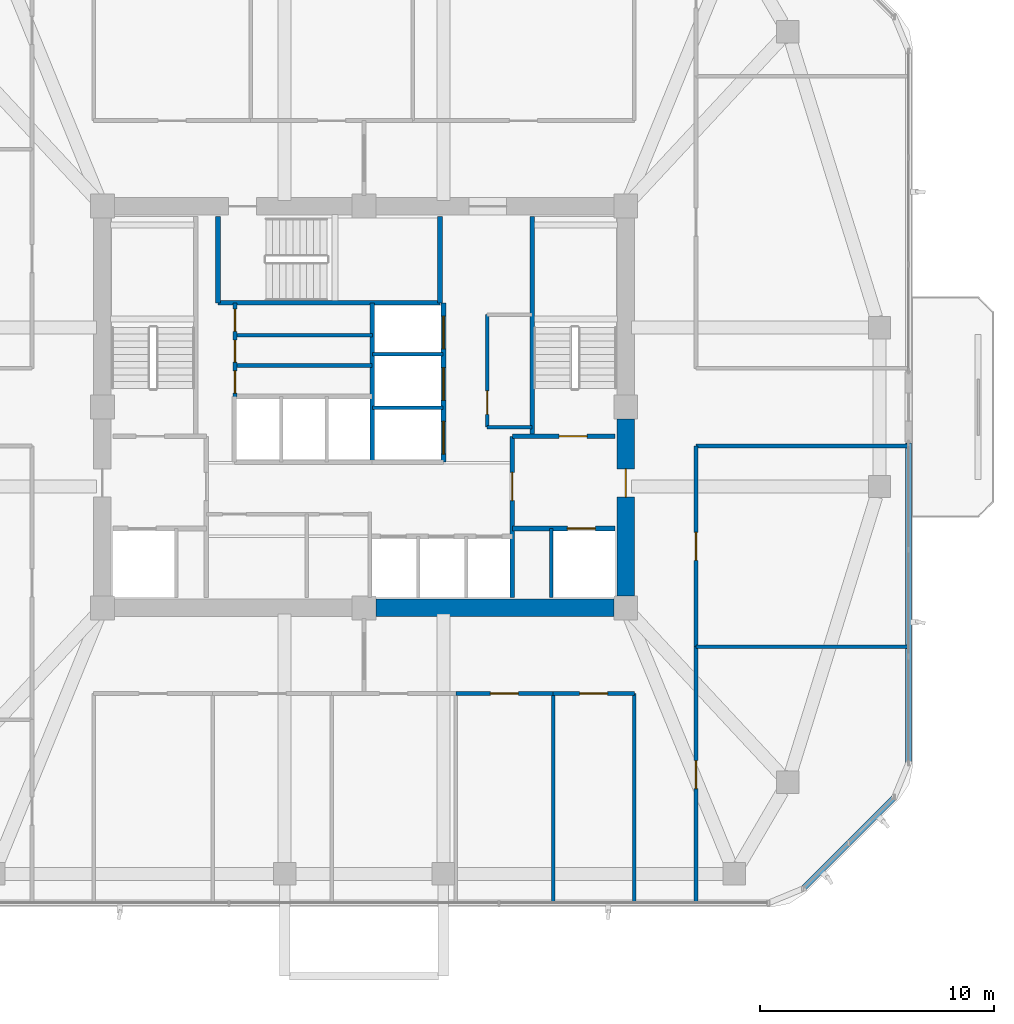
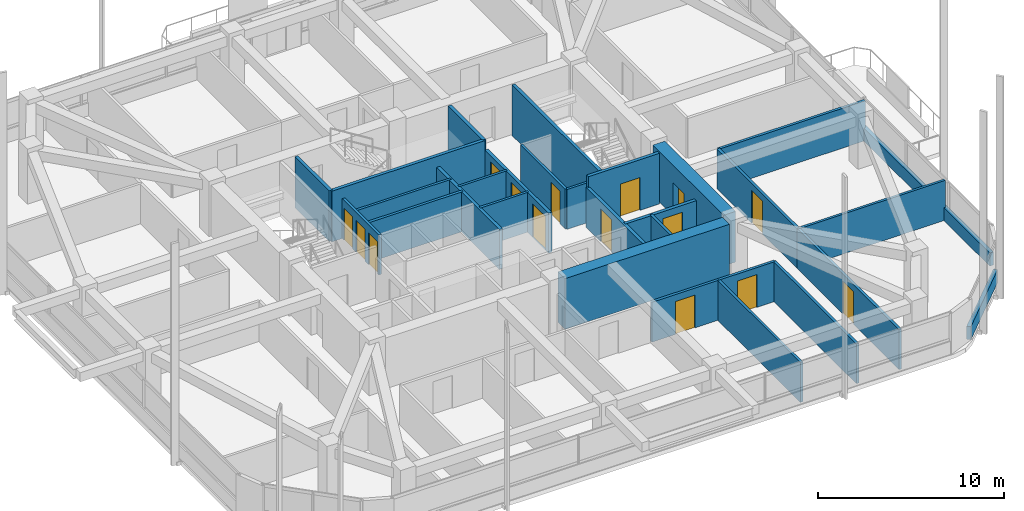
# One storey, part 9 of 14: 29 walls, 15 doors, 15 openings.
"""IFC4 building model written with IfcOpenShell, lengths in metres."""

from ifc_helpers import new_model, si_unit, derived_unit, direction, frame, frame_2d, origin, place, context, subcontext, project, spatial, rectangle, extrude, material, layer, layer_set, type_object, element, fill, save


model = new_model("IFC4")

# Units and contexts
model_context = context("Model", 3, precision=1e-05, world=origin(), true_north=direction((0.0, 1.0)))
body_context = subcontext(model_context, "Body", "Model", "MODEL_VIEW")
ifc_project = project(units=[si_unit("LENGTHUNIT", "METRE"), si_unit("AREAUNIT", "SQUARE_METRE"), si_unit("VOLUMEUNIT", "CUBIC_METRE"), si_unit("PLANEANGLEUNIT", "RADIAN"), si_unit("MASSUNIT", "GRAM", prefix="KILO"), derived_unit("THERMALTRANSMITTANCEUNIT", [(si_unit("POWERUNIT", "WATT"), 1), (si_unit("LENGTHUNIT", "METRE"), -2), (si_unit("THERMODYNAMICTEMPERATUREUNIT", "KELVIN"), -1)])], contexts=[model_context])

# Site, building, storey
site_placement = place(None, origin())
site = spatial("IfcSite", under=ifc_project, at=site_placement, CompositionType="ELEMENT")
building_placement = place(site_placement, origin())
building = spatial("IfcBuilding", under=site, at=building_placement, Name="Koralith Skygarden Medical Center", CompositionType="ELEMENT")
storey_placement = place(building_placement, frame((0.0, 0.0, 145.6201171875)))
storey = spatial("IfcBuildingStorey", under=building, at=storey_placement, Name="L37", CompositionType="ELEMENT", Elevation=145.6201171875)

# Wall, opening, door
ifc_material_1 = material(Name="Gypsum Board Partition")
ifc_layer_1 = layer(ifc_material_1, 0.14990234375)
ifc_layer_set_1 = layer_set([ifc_layer_1], Name="Gypsum Board Partition")
wall_type_1 = type_object("IfcWallType", Name="Clinical Acoustic Partition 150", PredefinedType="PARTITIONING", material=ifc_layer_set_1)
wall_1_placement = place(storey_placement, frame((42.27001953125, 25.0400390625, 0.0), z_axis=(0.0, 0.0, 1.0), x_axis=(0.0, 1.0, 0.0)))
wall_1 = element("IfcWall", 1, at=wall_1_placement, inside=storey, type_object=wall_type_1, Name="L37 Clinical Acoustic Partition 150 W-CORE-L37-ESUB-W", PredefinedType="PARTITIONING", context=body_context, shape_type="SweptSolid", body=[
    extrude(rectangle(XDim=4.820068359375, YDim=0.14990234375, at=frame_2d((2.41015625, 0.0))), origin(), (0.0, 0.0, 1.0), 2.60986328125),
])
opening_1_placement = place(wall_1_placement, frame((0.550048828125, 0.0, 0.0)))
opening_1 = element("IfcOpeningElement", 2, at=opening_1_placement, cuts=wall_1, Name="Opening D-SUP", PredefinedType="OPENING", context=body_context, shape_type="SweptSolid", body=[
    extrude(rectangle(XDim=1.0, YDim=2.14990234375, at=frame_2d((0.5, 1.074951171875))), frame((0.0, 0.0849609375, 0.0), z_axis=(0.0, -1.0, 0.0), x_axis=(1.0, 0.0, 0.0)), (0.0, 0.0, 1.0), 0.169921875),
])
ifc_material_2 = material(Name="Aluminium 6063-T6", Category="aluminium")
door_type_1 = type_object("IfcDoorType", Name="Clinical Support Door D-SUP 1000", OperationType="NOTDEFINED", PredefinedType="DOOR", material=ifc_material_2)
door_1_placement = place(opening_1_placement, origin())
door_1 = element("IfcDoor", 3, at=door_1_placement, inside=storey, type_object=door_type_1, Name="L37 Core Equipment Store Door", OperationType="SINGLE_SWING_LEFT", OverallHeight=2.14990234375, OverallWidth=1.0, PredefinedType="DOOR", context=body_context, shape_type="SweptSolid", body=[
    extrude(rectangle(XDim=1.0, YDim=2.14990234375, at=frame_2d((0.5, 1.074951171875))), frame((0.0, 0.02490234375, 0.0), z_axis=(0.0, -1.0, 0.0), x_axis=(1.0, 0.0, 0.0)), (0.0, 0.0, 1.0), 0.050048828125),
])
fill(opening_1, door_1)

# Walls
wall_2_placement = place(storey_placement, frame((42.27001953125, 25.0400390625, 0.0), z_axis=(0.0, 0.0, 1.0), x_axis=(1.0, 0.0, 0.0)))
element("IfcWall", 4, at=wall_2_placement, inside=storey, type_object=wall_type_1, Name="L37 Clinical Acoustic Partition 150 W-CORE-L37-ESUB-S", PredefinedType="PARTITIONING", context=body_context, shape_type="SweptSolid", body=[
    extrude(rectangle(XDim=1.929931640625, YDim=0.14990234375, at=frame_2d((0.96484375, 0.0))), origin(), (0.0, 0.0, 1.0), 2.60986328125),
])
wall_3_placement = place(storey_placement, frame((31.47998046875, 28.97998046875, 0.0), z_axis=(0.0, 0.0, 1.0), x_axis=(1.0, 0.0, 0.0)))
element("IfcWall", 5, at=wall_3_placement, inside=storey, type_object=wall_type_1, Name="L37 Clinical Acoustic Partition 150 W-CORE-L37-FLEX-H1B", PredefinedType="PARTITIONING", context=body_context, shape_type="SweptSolid", body=[
    extrude(rectangle(XDim=5.89013671875, YDim=0.14990234375, at=frame_2d((2.945068359375, 0.0))), origin(), (0.0, 0.0, 1.0), 2.60986328125),
])
wall_4_placement = place(storey_placement, frame((45.092041015625, 13.639892578125, 0.0), z_axis=(0.0, 0.0, 1.0), x_axis=(0.0, -1.0, 0.0)))
element("IfcWall", 6, at=wall_4_placement, inside=storey, type_object=wall_type_1, Name="L37 Clinical Acoustic Partition 150 W-PART-L37-S-04", PredefinedType="PARTITIONING", context=body_context, shape_type="SweptSolid", body=[
    extrude(rectangle(XDim=8.93994140625, YDim=0.14990234375, at=frame_2d((4.469970703125, 0.0))), origin(), (0.0, 0.0, 1.0), 2.60986328125),
])
wall_5_placement = place(storey_placement, frame((51.2099609375, 15.64208984375, 0.0), z_axis=(0.0, 0.0, 1.0), x_axis=(1.0, 0.0, 0.0)))
element("IfcWall", 7, at=wall_5_placement, inside=storey, type_object=wall_type_1, Name="L37 Clinical Acoustic Partition 150 W-PART-L37-ES-01", PredefinedType="PARTITIONING", context=body_context, shape_type="SweptSolid", body=[
    extrude(rectangle(XDim=9.073974609375, YDim=0.14990234375, at=frame_2d((4.537109375, 0.0))), origin(), (0.0, 0.0, 1.0), 2.60986328125),
])
ifc_layer_2 = layer(ifc_material_1, 0.1650390625)
ifc_layer_set_2 = layer_set([ifc_layer_2], Name="Gypsum Board Partition")
wall_type_2 = type_object("IfcWallType", Name="Clinical Corridor Partition 165", PredefinedType="PARTITIONING", material=ifc_layer_set_2)
wall_6_placement = place(storey_placement, frame((48.570068359375, 4.699951171875, 0.0), z_axis=(0.0, 0.0, 1.0), x_axis=(0.0, 1.0, 0.0)))
element("IfcWall", 8, at=wall_6_placement, inside=storey, type_object=wall_type_2, Name="L37 Clinical Corridor Partition 165 W-HCOR-L37-SE", PredefinedType="PARTITIONING", context=body_context, shape_type="SweptSolid", body=[
    extrude(rectangle(XDim=8.93994140625, YDim=0.1650390625, at=frame_2d((4.469970703125, 0.0))), origin(), (0.0, 0.0, 1.0), 2.60986328125),
])
wall_7_placement = place(storey_placement, frame((51.2099609375, 24.239990234375, 0.0), z_axis=(0.0, 0.0, 1.0), x_axis=(1.0, 0.0, 0.0)))
element("IfcWall", 9, at=wall_7_placement, inside=storey, type_object=wall_type_2, Name="L37 Clinical Corridor Partition 165 W-HCOR-L37-EWS-E", PredefinedType="PARTITIONING", context=body_context, shape_type="SweptSolid", body=[
    extrude(rectangle(XDim=9.073974609375, YDim=0.1650390625, at=frame_2d((4.537109375, 0.0))), origin(), (0.0, 0.0, 1.0), 2.60986328125),
])

# Wall, opening, door
wall_8_placement = place(storey_placement, frame((40.929931640625, 13.639892578125, 0.0), z_axis=(0.0, 0.0, 1.0), x_axis=(1.0, 0.0, 0.0)))
wall_8 = element("IfcWall", 10, at=wall_8_placement, inside=storey, type_object=wall_type_2, Name="L37 Clinical Corridor Partition 165 W-CORR-L37-S-04", PredefinedType="PARTITIONING", context=body_context, shape_type="SweptSolid", body=[
    extrude(rectangle(XDim=4.162109375, YDim=0.1650390625, at=frame_2d((2.0810546875, 0.0))), origin(), (0.0, 0.0, 1.0), 2.60986328125),
])
opening_2_placement = place(wall_8_placement, frame((1.48095703125, 0.0, 0.0)))
opening_2 = element("IfcOpeningElement", 11, at=opening_2_placement, cuts=wall_8, Name="Opening D-CLN", PredefinedType="OPENING", context=body_context, shape_type="SweptSolid", body=[
    extrude(rectangle(XDim=1.199951171875, YDim=2.14990234375, at=frame_2d((0.60009765625, 1.074951171875))), frame((0.0, 0.092529296875, 0.0), z_axis=(0.0, -1.0, 0.0), x_axis=(1.0, 0.0, 0.0)), (0.0, 0.0, 1.0), 0.18505859375),
])
door_type_2 = type_object("IfcDoorType", Name="Clinical Corridor Door D-CLN 1200", OperationType="NOTDEFINED", PredefinedType="DOOR", material=ifc_material_2)
door_2_placement = place(opening_2_placement, frame((1.199951171875, 0.0, 0.0), z_axis=(0.0, 0.0, 1.0), x_axis=(-1.0, 0.0, 0.0)))
door_2 = element("IfcDoor", 12, at=door_2_placement, inside=storey, type_object=door_type_2, Name="L37 Allergy Immunology Office 07 Door", OperationType="SINGLE_SWING_RIGHT", OverallHeight=2.14990234375, OverallWidth=1.199951171875, PredefinedType="DOOR", context=body_context, shape_type="SweptSolid", body=[
    extrude(rectangle(XDim=1.199951171875, YDim=2.14990234375, at=frame_2d((0.60009765625, 1.074951171875))), frame((0.0, 0.02490234375, 0.0), z_axis=(0.0, -1.0, 0.0), x_axis=(1.0, 0.0, 0.0)), (0.0, 0.0, 1.0), 0.050048828125),
])
fill(opening_2, door_2)

wall_9_placement = place(storey_placement, frame((45.092041015625, 13.639892578125, 0.0), z_axis=(0.0, 0.0, 1.0), x_axis=(1.0, 0.0, 0.0)))
wall_9 = element("IfcWall", 13, at=wall_9_placement, inside=storey, type_object=wall_type_2, Name="L37 Clinical Corridor Partition 165 W-CORR-L37-S-05", PredefinedType="PARTITIONING", context=body_context, shape_type="SweptSolid", body=[
    extrude(rectangle(XDim=3.47802734375, YDim=0.1650390625, at=frame_2d((1.739013671875, 0.0))), origin(), (0.0, 0.0, 1.0), 2.60986328125),
])
opening_3_placement = place(wall_9_placement, frame((1.138916015625, 0.0, 0.0)))
opening_3 = element("IfcOpeningElement", 14, at=opening_3_placement, cuts=wall_9, Name="Opening D-CLN", PredefinedType="OPENING", context=body_context, shape_type="SweptSolid", body=[
    extrude(rectangle(XDim=1.199951171875, YDim=2.14990234375, at=frame_2d((0.60009765625, 1.074951171875))), frame((0.0, 0.092529296875, 0.0), z_axis=(0.0, -1.0, 0.0), x_axis=(1.0, 0.0, 0.0)), (0.0, 0.0, 1.0), 0.18505859375),
])
door_3_placement = place(opening_3_placement, frame((1.199951171875, 0.0, 0.0), z_axis=(0.0, 0.0, 1.0), x_axis=(-1.0, 0.0, 0.0)))
door_3 = element("IfcDoor", 15, at=door_3_placement, inside=storey, type_object=door_type_2, Name="L37 Clinical Tea Pantry 08 Door", OperationType="SINGLE_SWING_LEFT", OverallHeight=2.14990234375, OverallWidth=1.199951171875, PredefinedType="DOOR", context=body_context, shape_type="SweptSolid", body=[
    extrude(rectangle(XDim=1.199951171875, YDim=2.14990234375, at=frame_2d((0.60009765625, 1.074951171875))), frame((0.0, 0.02490234375, 0.0), z_axis=(0.0, -1.0, 0.0), x_axis=(1.0, 0.0, 0.0)), (0.0, 0.0, 1.0), 0.050048828125),
])
fill(opening_3, door_3)

wall_10_placement = place(storey_placement, frame((51.2099609375, 4.699951171875, 0.0), z_axis=(0.0, 0.0, 1.0), x_axis=(0.0, 1.0, 0.0)))
wall_10 = element("IfcWall", 16, at=wall_10_placement, inside=storey, type_object=wall_type_2, Name="L37 Clinical Corridor Partition 165 W-CORR-L37-ES-01", PredefinedType="PARTITIONING", context=body_context, shape_type="SweptSolid", body=[
    extrude(rectangle(XDim=10.942138671875, YDim=0.1650390625, at=frame_2d((5.47119140625, 0.0))), origin(), (0.0, 0.0, 1.0), 2.60986328125),
])
opening_4_placement = place(wall_10_placement, frame((4.87109375, 0.0, 0.0)))
opening_4 = element("IfcOpeningElement", 17, at=opening_4_placement, cuts=wall_10, Name="Opening D-CLN", PredefinedType="OPENING", context=body_context, shape_type="SweptSolid", body=[
    extrude(rectangle(XDim=1.199951171875, YDim=2.14990234375, at=frame_2d((0.60009765625, 1.074951171875))), frame((0.0, 0.092529296875, 0.0), z_axis=(0.0, -1.0, 0.0), x_axis=(1.0, 0.0, 0.0)), (0.0, 0.0, 1.0), 0.18505859375),
])
door_4_placement = place(opening_4_placement, origin())
door_4 = element("IfcDoor", 18, at=door_4_placement, inside=storey, type_object=door_type_2, Name="L37 Clinical Consultation Office 13 Door", OperationType="SINGLE_SWING_RIGHT", OverallHeight=2.14990234375, OverallWidth=1.199951171875, PredefinedType="DOOR", context=body_context, shape_type="SweptSolid", body=[
    extrude(rectangle(XDim=1.199951171875, YDim=2.14990234375, at=frame_2d((0.60009765625, 1.074951171875))), frame((0.0, 0.02490234375, 0.0), z_axis=(0.0, -1.0, 0.0), x_axis=(1.0, 0.0, 0.0)), (0.0, 0.0, 1.0), 0.050048828125),
])
fill(opening_4, door_4)

wall_11_placement = place(storey_placement, frame((51.2099609375, 15.64208984375, 0.0), z_axis=(0.0, 0.0, 1.0), x_axis=(0.0, 1.0, 0.0)))
wall_11 = element("IfcWall", 19, at=wall_11_placement, inside=storey, type_object=wall_type_2, Name="L37 Clinical Corridor Partition 165 W-CORR-L37-ES-02", PredefinedType="PARTITIONING", context=body_context, shape_type="SweptSolid", body=[
    extrude(rectangle(XDim=8.597900390625, YDim=0.1650390625, at=frame_2d((4.298828125, 0.0))), origin(), (0.0, 0.0, 1.0), 2.60986328125),
])
opening_5_placement = place(wall_11_placement, frame((3.698974609375, 0.0, 0.0)))
opening_5 = element("IfcOpeningElement", 20, at=opening_5_placement, cuts=wall_11, Name="Opening D-CLN", PredefinedType="OPENING", context=body_context, shape_type="SweptSolid", body=[
    extrude(rectangle(XDim=1.199951171875, YDim=2.14990234375, at=frame_2d((0.60009765625, 1.074951171875))), frame((0.0, 0.092529296875, 0.0), z_axis=(0.0, -1.0, 0.0), x_axis=(1.0, 0.0, 0.0)), (0.0, 0.0, 1.0), 0.18505859375),
])
door_5_placement = place(opening_5_placement, origin())
door_5 = element("IfcDoor", 21, at=door_5_placement, inside=storey, type_object=door_type_2, Name="L37 Dermatology Procedure Room 14 Door", OperationType="SINGLE_SWING_LEFT", OverallHeight=2.14990234375, OverallWidth=1.199951171875, PredefinedType="DOOR", context=body_context, shape_type="SweptSolid", body=[
    extrude(rectangle(XDim=1.199951171875, YDim=2.14990234375, at=frame_2d((0.60009765625, 1.074951171875))), frame((0.0, 0.02490234375, 0.0), z_axis=(0.0, -1.0, 0.0), x_axis=(1.0, 0.0, 0.0)), (0.0, 0.0, 1.0), 0.050048828125),
])
fill(opening_5, door_5)

ifc_layer_3 = layer(ifc_material_1, 0.199951171875)
ifc_layer_set_3 = layer_set([ifc_layer_3], Name="Gypsum Board Partition")
wall_type_3 = type_object("IfcWallType", Name="Fire Shaft Wall 200", PredefinedType="SOLIDWALL", material=ifc_layer_set_3)
wall_12_placement = place(storey_placement, frame((43.35009765625, 20.699951171875, 0.0), z_axis=(0.0, 0.0, 1.0), x_axis=(1.0, 0.0, 0.0)))
wall_12 = element("IfcWall", 22, at=wall_12_placement, inside=storey, type_object=wall_type_3, Name="L37 Fire Shaft Wall 200 W-CORE-L37-FF2-N", PredefinedType="SOLIDWALL", context=body_context, shape_type="SweptSolid", body=[
    extrude(rectangle(XDim=4.39990234375, YDim=0.199951171875, at=frame_2d((2.199951171875, 0.0))), origin(), (0.0, 0.0, 1.0), 2.60986328125),
])
opening_6_placement = place(wall_12_placement, frame((2.35009765625, 0.0, 0.0)))
opening_6 = element("IfcOpeningElement", 23, at=opening_6_placement, cuts=wall_12, Name="Opening LD-FF", PredefinedType="OPENING", context=body_context, shape_type="SweptSolid", body=[
    extrude(rectangle(XDim=1.199951171875, YDim=2.14990234375, at=frame_2d((0.60009765625, 1.074951171875))), frame((0.0, 0.10986328125, 0.0), z_axis=(0.0, -1.0, 0.0), x_axis=(1.0, 0.0, 0.0)), (0.0, 0.0, 1.0), 0.219970703125),
])
ifc_material_3 = material(Name="Steel ASTM A500 Grade C", Category="steel")
door_type_3 = type_object("IfcDoorType", Name="Fire Lift Sliding Landing Door LD-FF 1200", OperationType="NOTDEFINED", PredefinedType="DOOR", material=ifc_material_3)
door_6_placement = place(opening_6_placement, origin())
door_6 = element("IfcDoor", 24, at=door_6_placement, inside=storey, type_object=door_type_3, Name="L37 Fire Service Elevator FF2 Landing Door", OperationType="SLIDING_TO_RIGHT", OverallHeight=2.14990234375, OverallWidth=1.199951171875, PredefinedType="DOOR", context=body_context, shape_type="SweptSolid", body=[
    extrude(rectangle(XDim=1.199951171875, YDim=2.14990234375, at=frame_2d((0.60009765625, 1.074951171875))), frame((0.0, 0.02490234375, 0.0), z_axis=(0.0, -1.0, 0.0), x_axis=(1.0, 0.0, 0.0)), (0.0, 0.0, 1.0), 0.050048828125),
])
fill(opening_6, door_6)

wall_13_placement = place(storey_placement, frame((43.35009765625, 17.75, 0.0), z_axis=(0.0, 0.0, 1.0), x_axis=(0.0, 1.0, 0.0)))
wall_13 = element("IfcWall", 25, at=wall_13_placement, inside=storey, type_object=wall_type_3, Name="L37 Fire Shaft Wall 200 W-CORE-L37-FSAEE-W", PredefinedType="SOLIDWALL", context=body_context, shape_type="SweptSolid", body=[
    extrude(rectangle(XDim=6.89990234375, YDim=0.199951171875, at=frame_2d((3.449951171875, 0.0))), origin(), (0.0, 0.0, 1.0), 2.60986328125),
])
opening_7_placement = place(wall_13_placement, frame((4.14990234375, 0.0, 0.0)))
opening_7 = element("IfcOpeningElement", 26, at=opening_7_placement, cuts=wall_13, Name="Opening D-ST60", PredefinedType="OPENING", context=body_context, shape_type="SweptSolid", body=[
    extrude(rectangle(XDim=1.199951171875, YDim=2.14990234375, at=frame_2d((0.60009765625, 1.074951171875))), frame((0.0, 0.10986328125, 0.0), z_axis=(0.0, -1.0, 0.0), x_axis=(1.0, 0.0, 0.0)), (0.0, 0.0, 1.0), 0.219970703125),
])
door_type_4 = type_object("IfcDoorType", Name="Smokeproof Stair Fire Door FD60S 1200", OperationType="NOTDEFINED", PredefinedType="DOOR", material=ifc_material_3)
door_7_placement = place(opening_7_placement, frame((1.199951171875, 0.0, 0.0), z_axis=(0.0, 0.0, 1.0), x_axis=(-1.0, 0.0, 0.0)))
door_7 = element("IfcDoor", 27, at=door_7_placement, inside=storey, type_object=door_type_4, Name="L37 East Firefighting Lobby Inner Fire Door", OperationType="SINGLE_SWING_RIGHT", OverallHeight=2.14990234375, OverallWidth=1.199951171875, PredefinedType="DOOR", context=body_context, shape_type="SweptSolid", body=[
    extrude(rectangle(XDim=1.199951171875, YDim=2.14990234375, at=frame_2d((0.60009765625, 1.074951171875))), frame((0.0, 0.02490234375, 0.0), z_axis=(0.0, -1.0, 0.0), x_axis=(1.0, 0.0, 0.0)), (0.0, 0.0, 1.0), 0.050048828125),
])
fill(opening_7, door_7)

# Wall
wall_14_placement = place(storey_placement, frame((37.35009765625, 23.5400390625, 0.0), z_axis=(0.0, 0.0, 1.0), x_axis=(0.0, 1.0, 0.0)))
element("IfcWall", 28, at=wall_14_placement, inside=storey, type_object=wall_type_3, Name="L37 Fire Shaft Wall 200 W-CORE-L37-SV-W", PredefinedType="SOLIDWALL", context=body_context, shape_type="SweptSolid", body=[
    extrude(rectangle(XDim=6.820068359375, YDim=0.199951171875, at=frame_2d((3.41015625, 0.0))), origin(), (0.0, 0.0, 1.0), 2.60986328125),
])

# Wall, openings, doors
wall_15_placement = place(storey_placement, frame((40.39990234375, 23.5400390625, 0.0), z_axis=(0.0, 0.0, 1.0), x_axis=(0.0, 1.0, 0.0)))
wall_15 = element("IfcWall", 29, at=wall_15_placement, inside=storey, type_object=wall_type_3, Name="L37 Fire Shaft Wall 200 W-CORE-L37-SV-E", PredefinedType="SOLIDWALL", context=body_context, shape_type="SweptSolid", body=[
    extrude(rectangle(XDim=6.820068359375, YDim=0.199951171875, at=frame_2d((3.41015625, 0.0))), origin(), (0.0, 0.0, 1.0), 2.60986328125),
])
opening_8_placement = place(wall_15_placement, frame((0.35009765625, 0.0, 0.0)))
opening_8 = element("IfcOpeningElement", 30, at=opening_8_placement, cuts=wall_15, Name="Opening LD-SV", PredefinedType="OPENING", context=body_context, shape_type="SweptSolid", body=[
    extrude(rectangle(XDim=1.39990234375, YDim=2.199951171875, at=frame_2d((0.699951171875, 1.10009765625))), frame((0.0, 0.10986328125, 0.0), z_axis=(0.0, -1.0, 0.0), x_axis=(1.0, 0.0, 0.0)), (0.0, 0.0, 1.0), 0.219970703125),
])
opening_9_placement = place(wall_15_placement, frame((2.64990234375, 0.0, 0.0)))
opening_9 = element("IfcOpeningElement", 31, at=opening_9_placement, cuts=wall_15, Name="Opening LD-SV", PredefinedType="OPENING", context=body_context, shape_type="SweptSolid", body=[
    extrude(rectangle(XDim=1.39990234375, YDim=2.199951171875, at=frame_2d((0.699951171875, 1.10009765625))), frame((0.0, 0.10986328125, 0.0), z_axis=(0.0, -1.0, 0.0), x_axis=(1.0, 0.0, 0.0)), (0.0, 0.0, 1.0), 0.219970703125),
])
opening_10_placement = place(wall_15_placement, frame((4.85009765625, 0.0, 0.0)))
opening_10 = element("IfcOpeningElement", 32, at=opening_10_placement, cuts=wall_15, Name="Opening LD-SV", PredefinedType="OPENING", context=body_context, shape_type="SweptSolid", body=[
    extrude(rectangle(XDim=1.39990234375, YDim=2.199951171875, at=frame_2d((0.699951171875, 1.10009765625))), frame((0.0, 0.10986328125, 0.0), z_axis=(0.0, -1.0, 0.0), x_axis=(1.0, 0.0, 0.0)), (0.0, 0.0, 1.0), 0.219970703125),
])
door_type_5 = type_object("IfcDoorType", Name="Bed Lift Sliding Landing Door LD-SV 1400", OperationType="NOTDEFINED", PredefinedType="DOOR", material=ifc_material_3)
door_8_placement = place(opening_8_placement, origin())
door_8 = element("IfcDoor", 33, at=door_8_placement, inside=storey, type_object=door_type_5, Name="L37 Bed Elevator BD1 Landing Door", OperationType="SLIDING_TO_LEFT", OverallHeight=2.199951171875, OverallWidth=1.39990234375, PredefinedType="DOOR", context=body_context, shape_type="SweptSolid", body=[
    extrude(rectangle(XDim=1.39990234375, YDim=2.199951171875, at=frame_2d((0.699951171875, 1.10009765625))), frame((0.0, 0.02490234375, 0.0), z_axis=(0.0, -1.0, 0.0), x_axis=(1.0, 0.0, 0.0)), (0.0, 0.0, 1.0), 0.050048828125),
])
fill(opening_8, door_8)
door_9_placement = place(opening_9_placement, origin())
door_9 = element("IfcDoor", 34, at=door_9_placement, inside=storey, type_object=door_type_5, Name="L37 Service Elevator BD2 Landing Door", OperationType="SLIDING_TO_LEFT", OverallHeight=2.199951171875, OverallWidth=1.39990234375, PredefinedType="DOOR", context=body_context, shape_type="SweptSolid", body=[
    extrude(rectangle(XDim=1.39990234375, YDim=2.199951171875, at=frame_2d((0.699951171875, 1.10009765625))), frame((0.0, 0.02490234375, 0.0), z_axis=(0.0, -1.0, 0.0), x_axis=(1.0, 0.0, 0.0)), (0.0, 0.0, 1.0), 0.050048828125),
])
fill(opening_9, door_9)
door_10_placement = place(opening_10_placement, origin())
door_10 = element("IfcDoor", 35, at=door_10_placement, inside=storey, type_object=door_type_5, Name="L37 Trauma Elevator TR1 Landing Door", OperationType="SLIDING_TO_RIGHT", OverallHeight=2.199951171875, OverallWidth=1.39990234375, PredefinedType="DOOR", context=body_context, shape_type="SweptSolid", body=[
    extrude(rectangle(XDim=1.39990234375, YDim=2.199951171875, at=frame_2d((0.699951171875, 1.10009765625))), frame((0.0, 0.02490234375, 0.0), z_axis=(0.0, -1.0, 0.0), x_axis=(1.0, 0.0, 0.0)), (0.0, 0.0, 1.0), 0.050048828125),
])
fill(opening_10, door_10)

# Walls
ifc_material_4 = material(Name="Warm Oolitic Limestone Cladding", Category="masonry")
ifc_layer_4 = layer(ifc_material_4, 0.239990234375)
ifc_layer_set_4 = layer_set([ifc_layer_4], Name="Warm Oolitic Limestone Cladding")
wall_type_4 = type_object("IfcWallType", Name="Limestone Spandrel Sill Backup Wall 240", PredefinedType="SOLIDWALL", material=ifc_layer_set_4)
wall_16_placement = place(storey_placement, frame((55.780029296875, 5.281005859375, 0.0), z_axis=(0.0, 0.0, 1.0), x_axis=(0.707084777957, 0.707128783731, 0.0)))
element("IfcWall", 36, at=wall_16_placement, inside=storey, type_object=wall_type_4, Name="L37 Sill Spandrel SE", PredefinedType="SOLIDWALL", context=body_context, shape_type="SweptSolid", body=[
    extrude(rectangle(XDim=5.5478515625, YDim=0.239990234375, at=frame_2d((2.77392578125, 0.0))), origin(), (0.0, 0.0, 1.0), 0.849853515625),
])
wall_17_placement = place(storey_placement, frame((60.303955078125, 10.655029296875, 0.0), z_axis=(0.0, 0.0, 1.0), x_axis=(0.0, 1.0, 0.0)))
element("IfcWall", 37, at=wall_17_placement, inside=storey, type_object=wall_type_4, Name="L37 Sill Spandrel E-L", PredefinedType="SOLIDWALL", context=body_context, shape_type="SweptSolid", body=[
    extrude(rectangle(XDim=13.705078125, YDim=0.239990234375, at=frame_2d((6.8525390625, 0.0))), origin(), (0.0, 0.0, 1.0), 0.849853515625),
])
ifc_material_5 = material(Name="Concrete C70/85", Category="concrete")
ifc_layer_5 = layer(ifc_material_5, 0.75)
ifc_layer_set_5 = layer_set([ifc_layer_5], Name="Concrete C70/85")
wall_type_5 = type_object("IfcWallType", Name="Mid Core Shear Wall 750", PredefinedType="SHEAR", material=ifc_layer_set_5)
wall_18_placement = place(storey_placement, frame((37.5048828125, 17.300048828125, 0.0), z_axis=(0.0, 0.0, 1.0), x_axis=(1.0, 0.0, 0.0)))
element("IfcWall", 38, at=wall_18_placement, inside=storey, type_object=wall_type_5, Name="L37 Core Shear Wall Segment 2", PredefinedType="SHEAR", context=body_context, shape_type="SweptSolid", body=[
    extrude(rectangle(XDim=10.190185546875, YDim=0.75, at=frame_2d((5.09521484375, 0.0))), origin(), (0.0, 0.0, 1.0), 3.31982421875),
])

# Wall, opening, door
wall_19_placement = place(storey_placement, frame((48.199951171875, 17.804931640625, 0.0), z_axis=(0.0, 0.0, 1.0), x_axis=(0.0, 1.0, 0.0)))
wall_19 = element("IfcWall", 39, at=wall_19_placement, inside=storey, type_object=wall_type_5, Name="L37 Core Shear Wall Segment 3", PredefinedType="SHEAR", context=body_context, shape_type="SweptSolid", body=[
    extrude(rectangle(XDim=7.590087890625, YDim=0.75, at=frame_2d((3.794921875, 0.0))), origin(), (0.0, 0.0, 1.0), 3.31982421875),
])
opening_11_placement = place(wall_19_placement, frame((4.2451171875, 0.0, 0.0)))
opening_11 = element("IfcOpeningElement", 40, at=opening_11_placement, cuts=wall_19, Name="Opening D-ST60", PredefinedType="OPENING", context=body_context, shape_type="SweptSolid", body=[
    extrude(rectangle(XDim=1.199951171875, YDim=2.14990234375, at=frame_2d((0.60009765625, 1.074951171875))), frame((0.0, 0.385009765625, 0.0), z_axis=(0.0, -1.0, 0.0), x_axis=(1.0, 0.0, 0.0)), (0.0, 0.0, 1.0), 0.77001953125),
])
door_11_placement = place(opening_11_placement, frame((1.199951171875, 0.0, 0.0), z_axis=(0.0, 0.0, 1.0), x_axis=(-1.0, 0.0, 0.0)))
door_11 = element("IfcDoor", 41, at=door_11_placement, inside=storey, type_object=door_type_4, Name="L37 East Corridor to Firefighting Lobby Door", OperationType="SINGLE_SWING_RIGHT", OverallHeight=2.14990234375, OverallWidth=1.199951171875, PredefinedType="DOOR", context=body_context, shape_type="SweptSolid", body=[
    extrude(rectangle(XDim=1.199951171875, YDim=2.14990234375, at=frame_2d((0.60009765625, 1.074951171875))), frame((0.0, 0.02490234375, 0.0), z_axis=(0.0, -1.0, 0.0), x_axis=(1.0, 0.0, 0.0)), (0.0, 0.0, 1.0), 0.050048828125),
])
fill(opening_11, door_11)

# Wall, openings, doors
ifc_layer_6 = layer(ifc_material_1, 0.1650390625)
ifc_layer_set_6 = layer_set([ifc_layer_6], Name="Gypsum Board Partition")
wall_type_6 = type_object("IfcWallType", Name="Plumbing Wet Wall 165", PredefinedType="PLUMBINGWALL", material=ifc_layer_set_6)
wall_20_placement = place(storey_placement, frame((31.47998046875, 26.320068359375, 0.0), z_axis=(0.0, 0.0, 1.0), x_axis=(0.0, 1.0, 0.0)))
wall_20 = element("IfcWall", 42, at=wall_20_placement, inside=storey, type_object=wall_type_6, Name="L37 Plumbing Wet Wall 165 W-CORE-L37-FLEX-W", PredefinedType="PLUMBINGWALL", context=body_context, shape_type="SweptSolid", body=[
    extrude(rectangle(XDim=4.0400390625, YDim=0.1650390625, at=frame_2d((2.02001953125, 0.0))), origin(), (0.0, 0.0, 1.0), 2.60986328125),
])
opening_12_placement = place(wall_20_placement, frame((0.179931640625, 0.0, 0.0)))
opening_12 = element("IfcOpeningElement", 43, at=opening_12_placement, cuts=wall_20, Name="Opening D-WC", PredefinedType="OPENING", context=body_context, shape_type="SweptSolid", body=[
    extrude(rectangle(XDim=0.949951171875, YDim=2.10009765625, at=frame_2d((0.47509765625, 1.050048828125))), frame((0.0, 0.092529296875, 0.0), z_axis=(0.0, -1.0, 0.0), x_axis=(1.0, 0.0, 0.0)), (0.0, 0.0, 1.0), 0.18505859375),
])
opening_13_placement = place(wall_20_placement, frame((1.5, 0.0, 0.0)))
opening_13 = element("IfcOpeningElement", 44, at=opening_13_placement, cuts=wall_20, Name="Opening D-WC", PredefinedType="OPENING", context=body_context, shape_type="SweptSolid", body=[
    extrude(rectangle(XDim=0.949951171875, YDim=2.10009765625, at=frame_2d((0.47509765625, 1.050048828125))), frame((0.0, 0.092529296875, 0.0), z_axis=(0.0, -1.0, 0.0), x_axis=(1.0, 0.0, 0.0)), (0.0, 0.0, 1.0), 0.18505859375),
])
opening_14_placement = place(wall_20_placement, frame((2.820068359375, 0.0, 0.0)))
opening_14 = element("IfcOpeningElement", 45, at=opening_14_placement, cuts=wall_20, Name="Opening D-WC", PredefinedType="OPENING", context=body_context, shape_type="SweptSolid", body=[
    extrude(rectangle(XDim=0.949951171875, YDim=2.10009765625, at=frame_2d((0.47509765625, 1.050048828125))), frame((0.0, 0.092529296875, 0.0), z_axis=(0.0, -1.0, 0.0), x_axis=(1.0, 0.0, 0.0)), (0.0, 0.0, 1.0), 0.18505859375),
])
door_type_6 = type_object("IfcDoorType", Name="Accessible Toilet Door D-WC 950", OperationType="NOTDEFINED", PredefinedType="DOOR", material=ifc_material_2)
door_12_placement = place(opening_12_placement, frame((0.949951171875, 0.0, 0.0), z_axis=(0.0, 0.0, 1.0), x_axis=(-1.0, 0.0, 0.0)))
door_12 = element("IfcDoor", 46, at=door_12_placement, inside=storey, type_object=door_type_6, Name="L37 Core Accessible WC Door", OperationType="SINGLE_SWING_LEFT", OverallHeight=2.10009765625, OverallWidth=0.949951171875, PredefinedType="DOOR", context=body_context, shape_type="SweptSolid", body=[
    extrude(rectangle(XDim=0.949951171875, YDim=2.10009765625, at=frame_2d((0.47509765625, 1.050048828125))), frame((0.0, 0.02490234375, 0.0), z_axis=(0.0, -1.0, 0.0), x_axis=(1.0, 0.0, 0.0)), (0.0, 0.0, 1.0), 0.050048828125),
])
fill(opening_12, door_12)
door_13_placement = place(opening_13_placement, frame((0.949951171875, 0.0, 0.0), z_axis=(0.0, 0.0, 1.0), x_axis=(-1.0, 0.0, 0.0)))
door_13 = element("IfcDoor", 47, at=door_13_placement, inside=storey, type_object=door_type_6, Name="L37 Staff Pantry Door", OperationType="SINGLE_SWING_LEFT", OverallHeight=2.10009765625, OverallWidth=0.949951171875, PredefinedType="DOOR", context=body_context, shape_type="SweptSolid", body=[
    extrude(rectangle(XDim=0.949951171875, YDim=2.10009765625, at=frame_2d((0.47509765625, 1.050048828125))), frame((0.0, 0.02490234375, 0.0), z_axis=(0.0, -1.0, 0.0), x_axis=(1.0, 0.0, 0.0)), (0.0, 0.0, 1.0), 0.050048828125),
])
fill(opening_13, door_13)
door_14_placement = place(opening_14_placement, frame((0.949951171875, 0.0, 0.0), z_axis=(0.0, 0.0, 1.0), x_axis=(-1.0, 0.0, 0.0)))
door_14 = element("IfcDoor", 48, at=door_14_placement, inside=storey, type_object=door_type_6, Name="L37 IT Comms Door", OperationType="SINGLE_SWING_RIGHT", OverallHeight=2.10009765625, OverallWidth=0.949951171875, PredefinedType="DOOR", context=body_context, shape_type="SweptSolid", body=[
    extrude(rectangle(XDim=0.949951171875, YDim=2.10009765625, at=frame_2d((0.47509765625, 1.050048828125))), frame((0.0, 0.02490234375, 0.0), z_axis=(0.0, -1.0, 0.0), x_axis=(1.0, 0.0, 0.0)), (0.0, 0.0, 1.0), 0.050048828125),
])
fill(opening_14, door_14)

# Walls
wall_21_placement = place(storey_placement, frame((31.47998046875, 27.679931640625, 0.0), z_axis=(0.0, 0.0, 1.0), x_axis=(1.0, 0.0, 0.0)))
element("IfcWall", 49, at=wall_21_placement, inside=storey, type_object=wall_type_6, Name="L37 Plumbing Wet Wall 165 W-CORE-L37-FLEX-H1A", PredefinedType="PLUMBINGWALL", context=body_context, shape_type="SweptSolid", body=[
    extrude(rectangle(XDim=5.8701171875, YDim=0.1650390625, at=frame_2d((2.93505859375, 0.0))), origin(), (0.0, 0.0, 1.0), 2.60986328125),
])
ifc_layer_7 = layer(ifc_material_1, 0.14990234375)
ifc_layer_set_7 = layer_set([ifc_layer_7], Name="Gypsum Board Partition")
wall_type_7 = type_object("IfcWallType", Name="Shaft Partition Wall 150", PredefinedType="PARTITIONING", material=ifc_layer_set_7)
wall_22_placement = place(storey_placement, frame((45.02001953125, 17.75, 0.0), z_axis=(0.0, 0.0, 1.0), x_axis=(0.0, 1.0, 0.0)))
element("IfcWall", 50, at=wall_22_placement, inside=storey, type_object=wall_type_7, Name="L37 Shaft Partition Wall 150 W-CORE-L37-RSRE-DIV", PredefinedType="PARTITIONING", context=body_context, shape_type="SweptSolid", body=[
    extrude(rectangle(XDim=2.949951171875, YDim=0.14990234375, at=frame_2d((1.47509765625, 0.0))), origin(), (0.0, 0.0, 1.0), 2.60986328125),
])
for number, where, z_axis, x_axis, name in (
    (51, (37.3701171875, 25.8701171875, 0.0), (0.0, 0.0, 1.0), (1.0, 0.0, 0.0), "L37 Shaft Partition Wall 150 W-CORE-L37-SV-D1"),
    (52, (37.3701171875, 28.169921875, 0.0), (0.0, 0.0, 1.0), (1.0, 0.0, 0.0), "L37 Shaft Partition Wall 150 W-CORE-L37-SV-D2"),
):
    element("IfcWall", number, at=place(storey_placement, frame(where, z_axis=z_axis, x_axis=x_axis)), inside=storey, type_object=wall_type_7, Name=name, PredefinedType="PARTITIONING", context=body_context, shape_type="SweptSolid", body=[
        extrude(rectangle(XDim=3.009765625, YDim=0.14990234375, at=frame_2d((1.5048828125, 0.0))), origin(), (0.0, 0.0, 1.0), 2.60986328125),
    ])
ifc_material_6 = material(Name="Concrete C45/55", Category="concrete")
ifc_layer_8 = layer(ifc_material_6, 0.199951171875)
ifc_layer_set_8 = layer_set([ifc_layer_8], Name="Concrete C45/55")
wall_type_8 = type_object("IfcWallType", Name="Structural Stair Shaft Wall 200", PredefinedType="SHEAR", material=ifc_layer_set_8)
wall_23_placement = place(storey_placement, frame((44.199951171875, 24.64990234375, 0.0), z_axis=(0.0, 0.0, 1.0), x_axis=(0.0, 1.0, 0.0)))
element("IfcWall", 53, at=wall_23_placement, inside=storey, type_object=wall_type_8, Name="L37 Structural Stair Shaft Wall 200 W-CORE-L37-ST2-W", PredefinedType="SHEAR", context=body_context, shape_type="SweptSolid", body=[
    extrude(rectangle(XDim=9.400146484375, YDim=0.199951171875, at=frame_2d((4.7001953125, 0.0))), origin(), (0.0, 0.0, 1.0), 3.31982421875),
])

# Wall, opening, door
wall_24_placement = place(storey_placement, frame((43.35009765625, 24.64990234375, 0.0), z_axis=(0.0, 0.0, 1.0), x_axis=(1.0, 0.0, 0.0)))
wall_24 = element("IfcWall", 54, at=wall_24_placement, inside=storey, type_object=wall_type_8, Name="L37 Structural Stair Shaft Wall 200 W-CORE-L37-ST2-S", PredefinedType="SHEAR", context=body_context, shape_type="SweptSolid", body=[
    extrude(rectangle(XDim=4.39990234375, YDim=0.199951171875, at=frame_2d((2.199951171875, 0.0))), origin(), (0.0, 0.0, 1.0), 3.31982421875),
])
opening_15_placement = place(wall_24_placement, frame((2.0, 0.0, 0.0)))
opening_15 = element("IfcOpeningElement", 55, at=opening_15_placement, cuts=wall_24, Name="Opening D-ST60", PredefinedType="OPENING", context=body_context, shape_type="SweptSolid", body=[
    extrude(rectangle(XDim=1.199951171875, YDim=2.14990234375, at=frame_2d((0.60009765625, 1.074951171875))), frame((0.0, 0.10986328125, 0.0), z_axis=(0.0, -1.0, 0.0), x_axis=(1.0, 0.0, 0.0)), (0.0, 0.0, 1.0), 0.219970703125),
])
door_15_placement = place(opening_15_placement, origin())
door_15 = element("IfcDoor", 56, at=door_15_placement, inside=storey, type_object=door_type_4, Name="L37 Exit Stair ST2 Fire Door", OperationType="SINGLE_SWING_RIGHT", OverallHeight=2.14990234375, OverallWidth=1.199951171875, PredefinedType="DOOR", context=body_context, shape_type="SweptSolid", body=[
    extrude(rectangle(XDim=1.199951171875, YDim=2.14990234375, at=frame_2d((0.60009765625, 1.074951171875))), frame((0.0, 0.02490234375, 0.0), z_axis=(0.0, -1.0, 0.0), x_axis=(1.0, 0.0, 0.0)), (0.0, 0.0, 1.0), 0.050048828125),
])
fill(opening_15, door_15)

# Walls
wall_25_placement = place(storey_placement, frame((30.75, 30.360107421875, 0.0), z_axis=(0.0, 0.0, 1.0), x_axis=(1.0, 0.0, 0.0)))
element("IfcWall", 57, at=wall_25_placement, inside=storey, type_object=wall_type_8, Name="L37 Structural Stair Shaft Wall 200 W-CORE-L37-ST3-S", PredefinedType="SHEAR", context=body_context, shape_type="SweptSolid", body=[
    extrude(rectangle(XDim=9.5, YDim=0.199951171875, at=frame_2d((4.75, 0.0))), origin(), (0.0, 0.0, 1.0), 3.31982421875),
])
for number, where, z_axis, x_axis, name in (
    (58, (30.75, 30.360107421875, 0.0), (0.0, 0.0, 1.0), (0.0, 1.0, 0.0), "L37 Structural Stair Shaft Wall 200 W-CORE-L37-ST3-W"),
    (59, (40.25, 30.360107421875, 0.0), (0.0, 0.0, 1.0), (0.0, 1.0, 0.0), "L37 Structural Stair Shaft Wall 200 W-CORE-L37-ST3-E"),
):
    element("IfcWall", number, at=place(storey_placement, frame(where, z_axis=z_axis, x_axis=x_axis)), inside=storey, type_object=wall_type_8, Name=name, PredefinedType="SHEAR", context=body_context, shape_type="SweptSolid", body=[
        extrude(rectangle(XDim=3.68994140625, YDim=0.199951171875, at=frame_2d((1.844970703125, 0.0))), origin(), (0.0, 0.0, 1.0), 3.31982421875),
    ])

save(model, "model.ifc")
